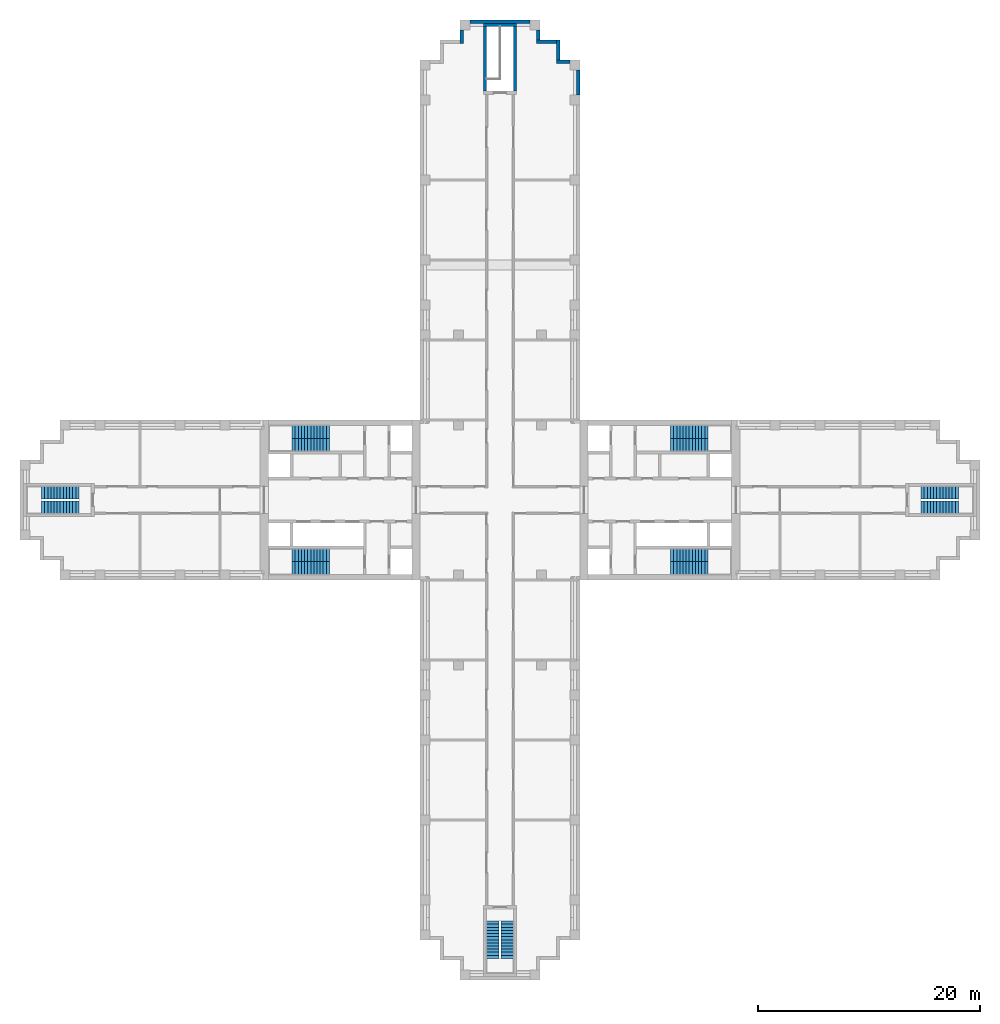
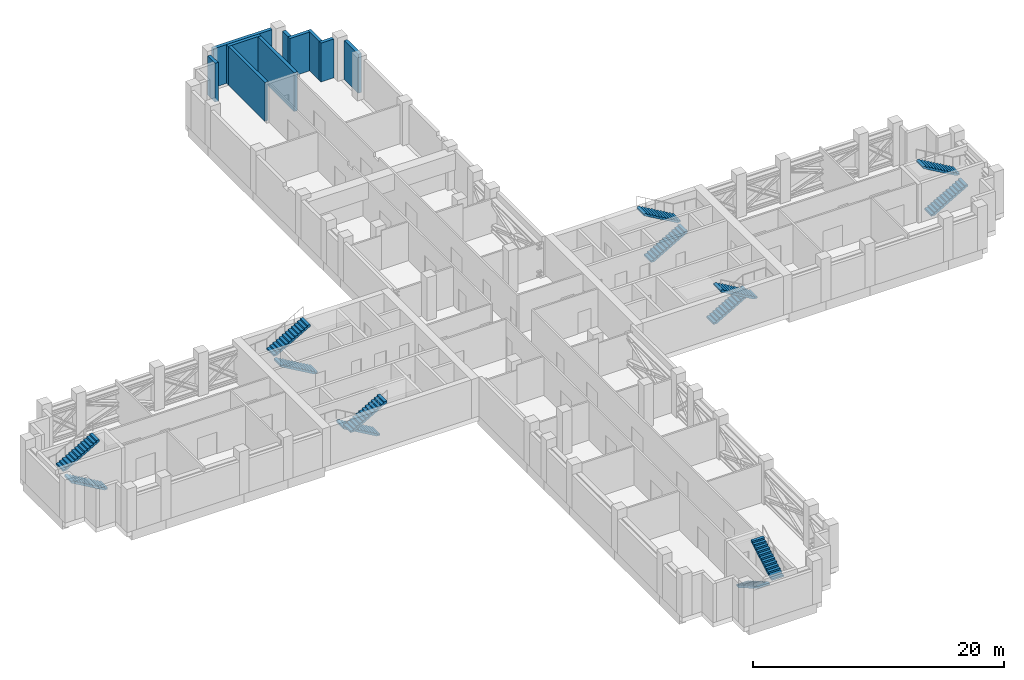
# One storey, part 9 of 10: 14 stair flights, 10 walls, 7 elements without a shape of their own.
"""IFC4 building model written with IfcOpenShell, lengths in metres."""

from ifc_helpers import new_model, si_unit, direction, frame, frame_2d, origin, place, context, subcontext, project, spatial, polyline, rectangle, outline, extrude, material, layer, layer_set, type_object, element, aggregate, save


model = new_model("IFC4")

# Units and contexts
model_context = context("Model", 3, precision=1e-05, world=origin(), true_north=direction((0.0, 1.0)))
body_context = subcontext(model_context, "Body", "Model", "MODEL_VIEW")
ifc_project = project(units=[si_unit("LENGTHUNIT", "METRE"), si_unit("AREAUNIT", "SQUARE_METRE"), si_unit("VOLUMEUNIT", "CUBIC_METRE"), si_unit("PLANEANGLEUNIT", "RADIAN"), si_unit("MASSUNIT", "GRAM", prefix="KILO")], contexts=[model_context])

# Site, building, storey
site_placement = place(None, origin())
site = spatial("IfcSite", under=ifc_project, at=site_placement, CompositionType="ELEMENT")
building_placement = place(site_placement, origin())
building = spatial("IfcBuilding", under=site, at=building_placement, Name="Fustian Cross Tower", CompositionType="ELEMENT")
storey_placement = place(building_placement, frame((0.0, 0.0, 62.699951171875)))
storey = spatial("IfcBuildingStorey", under=building, at=storey_placement, Name="L19", CompositionType="ELEMENT", Elevation=62.699951171875)

# Walls
ifc_material_1 = material(Name="Concrete C50/60", Category="concrete")
ifc_layer_1 = layer(ifc_material_1, 0.300048828125)
ifc_layer_set_1 = layer_set([ifc_layer_1], Name="Concrete C50/60")
wall_type_1 = type_object("IfcWallType", Name="STAIR ENCLOSURE WALL 300 C50/60", PredefinedType="SHEAR", material=ifc_layer_set_1)
wall_1_placement = place(storey_placement, frame((-1.5, 42.75, 0.0), z_axis=(0.0, 0.0, 1.0), x_axis=(1.0, 0.0, 0.0)))
element("IfcWall", 1, at=wall_1_placement, inside=storey, type_object=wall_type_1, Name="Stair enclosure wall", PredefinedType="SHEAR", context=body_context, shape_type="SweptSolid", body=[
    extrude(rectangle(XDim=3.0, YDim=0.300048828125, at=frame_2d((1.5, 0.0))), origin(), (0.0, 0.0, 1.0), 3.775146484375),
])
for number, where, z_axis, x_axis, name in (
    (2, (-1.35009765625, 36.800048828125, 0.0), (0.0, 0.0, 1.0), (0.0, 1.0, 0.0), "Stair enclosure wall"),
    (3, (1.35009765625, 36.800048828125, 0.0), (0.0, 0.0, 1.0), (0.0, 1.0, 0.0), "Stair enclosure wall"),
):
    element("IfcWall", number, at=place(storey_placement, frame(where, z_axis=z_axis, x_axis=x_axis)), inside=storey, type_object=wall_type_1, Name=name, PredefinedType="SHEAR", context=body_context, shape_type="SweptSolid", body=[
        extrude(rectangle(XDim=5.800048828125, YDim=0.300048828125, at=frame_2d((2.89990234375, 0.0))), origin(), (0.0, 0.0, 1.0), 3.775146484375),
    ])
ifc_material_2 = material(Name="Dark aluminium louvres on insulated backing wall", Category="aluminium")
ifc_layer_2 = layer(ifc_material_2, 0.300048828125)
ifc_layer_set_2 = layer_set([ifc_layer_2], Name="Dark aluminium louvres on insulated backing wall")
wall_type_2 = type_object("IfcWallType", Name="XW2 LOUVRED PLANT WALL 300", PredefinedType="SOLIDWALL", material=ifc_layer_set_2)
wall_2_placement = place(storey_placement, frame((7.050048828125, 36.449951171875, 0.0), z_axis=(0.0, 0.0, 1.0), x_axis=(0.0, 1.0, 0.0)))
element("IfcWall", 4, at=wall_2_placement, inside=storey, type_object=wall_type_2, Name="Plant louvre wall", PredefinedType="SOLIDWALL", context=body_context, shape_type="SweptSolid", body=[
    extrude(rectangle(XDim=2.25, YDim=0.300048828125, at=frame_2d((1.125, 0.0))), origin(), (0.0, 0.0, 1.0), 3.775146484375),
])
wall_3_placement = place(storey_placement, frame((6.300048828125, 39.449951171875, 0.0), z_axis=(0.0, 0.0, 1.0), x_axis=(-1.0, 0.0, 0.0)))
element("IfcWall", 5, at=wall_3_placement, inside=storey, type_object=wall_type_2, Name="Plant louvre wall", PredefinedType="SOLIDWALL", context=body_context, shape_type="SweptSolid", body=[
    extrude(rectangle(XDim=1.199951171875, YDim=0.300048828125, at=frame_2d((0.60009765625, 0.0))), origin(), (0.0, 0.0, 1.0), 3.775146484375),
])
wall_4_placement = place(storey_placement, frame((5.25, 39.60009765625, 0.0), z_axis=(0.0, 0.0, 1.0), x_axis=(0.0, 1.0, 0.0)))
element("IfcWall", 6, at=wall_4_placement, inside=storey, type_object=wall_type_2, Name="Plant louvre wall", PredefinedType="SOLIDWALL", context=body_context, shape_type="SweptSolid", body=[
    extrude(rectangle(XDim=1.7998046875, YDim=0.300048828125, at=frame_2d((0.89990234375, 0.0))), origin(), (0.0, 0.0, 1.0), 3.775146484375),
])
wall_5_placement = place(storey_placement, frame((5.10009765625, 41.25, 0.0), z_axis=(0.0, 0.0, 1.0), x_axis=(-1.0, 0.0, 0.0)))
element("IfcWall", 7, at=wall_5_placement, inside=storey, type_object=wall_type_2, Name="Plant louvre wall", PredefinedType="SOLIDWALL", context=body_context, shape_type="SweptSolid", body=[
    extrude(rectangle(XDim=1.800048828125, YDim=0.300048828125, at=frame_2d((0.89990234375, 0.0))), origin(), (0.0, 0.0, 1.0), 3.775146484375),
])
wall_6_placement = place(storey_placement, frame((3.449951171875, 41.39990234375, 0.0), z_axis=(0.0, 0.0, 1.0), x_axis=(0.0, 1.0, 0.0)))
element("IfcWall", 8, at=wall_6_placement, inside=storey, type_object=wall_type_2, Name="Plant louvre wall", PredefinedType="SOLIDWALL", context=body_context, shape_type="SweptSolid", body=[
    extrude(rectangle(XDim=0.900146484375, YDim=0.300048828125, at=frame_2d((0.4501953125, 0.0))), origin(), (0.0, 0.0, 1.0), 3.775146484375),
])
wall_7_placement = place(storey_placement, frame((2.699951171875, 43.050048828125, 0.0), z_axis=(0.0, 0.0, 1.0), x_axis=(-1.0, 0.0, 0.0)))
element("IfcWall", 9, at=wall_7_placement, inside=storey, type_object=wall_type_2, Name="Plant louvre wall", PredefinedType="SOLIDWALL", context=body_context, shape_type="SweptSolid", body=[
    extrude(rectangle(XDim=5.39990234375, YDim=0.300048828125, at=frame_2d((2.699951171875, 0.0))), origin(), (0.0, 0.0, 1.0), 3.775146484375),
])
wall_8_placement = place(storey_placement, frame((-3.449951171875, 42.300048828125, 0.0), z_axis=(0.0, 0.0, 1.0), x_axis=(0.0, -1.0, 0.0)))
element("IfcWall", 10, at=wall_8_placement, inside=storey, type_object=wall_type_2, Name="Plant louvre wall", PredefinedType="SOLIDWALL", context=body_context, shape_type="SweptSolid", body=[
    extrude(rectangle(XDim=1.199951171875, YDim=0.300048828125, at=frame_2d((0.60009765625, 0.0))), origin(), (0.0, 0.0, 1.0), 3.775146484375),
])

# Stair, stair flights
ifc_material_3 = material(Name="Concrete C50/60", Category="concrete")
stair_type_1 = type_object("IfcStairType", Name="STAIR 1100 HALF TURN", PredefinedType="HALF_TURN_STAIR", material=ifc_material_3)
stair_1_placement = place(storey_placement, origin())
stair_1 = element("IfcStair", 11, at=stair_1_placement, inside=storey, type_object=stair_type_1, Name="Stair ST6", PredefinedType="HALF_TURN_STAIR")
ifc_material_4 = material(Name="Concrete C50/60", Category="concrete")
stair_flight_type_1 = type_object("IfcStairFlightType", Name="STAIR FLIGHT 1100", PredefinedType="STRAIGHT", material=ifc_material_4)
stair_flight_1_placement = place(storey_placement, frame((-0.64990234375, -37.89990234375, 0.0), z_axis=(0.0, 0.0, 1.0), x_axis=(0.0, -1.0, 0.0)))
stair_flight_1 = element("IfcStairFlight", 12, at=stair_flight_1_placement, type_object=stair_flight_type_1, Name="ST6 flight 1", NumberOfRisers=13, NumberOfTreads=12, PredefinedType="STRAIGHT", RiserHeight=0.161538462, TreadLength=0.28, context=body_context, shape_type="SweptSolid", body=[
    extrude(outline(polyline([(0.0, 0.0), (0.0, 0.16162109375), (0.280029296875, 0.16162109375), (0.280029296875, 0.322998046875), (0.56005859375, 0.322998046875), (0.56005859375, 0.484619140625), (0.840087890625, 0.484619140625), (0.840087890625, 0.646240234375), (1.1201171875, 0.646240234375), (1.1201171875, 0.8076171875), (1.39990234375, 0.8076171875), (1.39990234375, 0.96923828125), (1.679931640625, 0.96923828125), (1.679931640625, 1.130859375), (1.9599609375, 1.130859375), (1.9599609375, 1.292236328125), (2.239990234375, 1.292236328125), (2.239990234375, 1.453857421875), (2.52001953125, 1.453857421875), (2.52001953125, 1.615478515625), (2.800048828125, 1.615478515625), (2.800048828125, 1.77685546875), (3.080078125, 1.77685546875), (3.080078125, 1.9384765625), (3.360107421875, 1.9384765625), (3.360107421875, 2.10009765625), (3.360107421875, 1.765380859375), (0.300048828125, 0.0), (0.0, 0.0)])), frame((0.0, 0.550048828125, 0.0), z_axis=(0.0, -1.0, 0.0), x_axis=(1.0, 0.0, 0.0)), (0.0, 0.0, 1.0), 1.10009765625),
])
stair_flight_2_placement = place(storey_placement, frame((0.64990234375, -41.260009765625, 2.10009765625), z_axis=(0.0, 0.0, 1.0), x_axis=(0.0, 1.0, 0.0)))
stair_flight_2 = element("IfcStairFlight", 13, at=stair_flight_2_placement, type_object=stair_flight_type_1, Name="ST6 flight 2", NumberOfRisers=13, NumberOfTreads=12, PredefinedType="STRAIGHT", RiserHeight=0.161538462, TreadLength=0.28, context=body_context, shape_type="SweptSolid", body=[
    extrude(outline(polyline([(0.0, 0.0), (0.0, 0.16162109375), (0.280029296875, 0.16162109375), (0.280029296875, 0.322998046875), (0.56005859375, 0.322998046875), (0.56005859375, 0.484619140625), (0.840087890625, 0.484619140625), (0.840087890625, 0.646240234375), (1.1201171875, 0.646240234375), (1.1201171875, 0.8076171875), (1.39990234375, 0.8076171875), (1.39990234375, 0.96923828125), (1.679931640625, 0.96923828125), (1.679931640625, 1.130859375), (1.9599609375, 1.130859375), (1.9599609375, 1.292236328125), (2.239990234375, 1.292236328125), (2.239990234375, 1.453857421875), (2.52001953125, 1.453857421875), (2.52001953125, 1.615478515625), (2.800048828125, 1.615478515625), (2.800048828125, 1.77685546875), (3.080078125, 1.77685546875), (3.080078125, 1.9384765625), (3.360107421875, 1.9384765625), (3.360107421875, 2.10009765625), (3.360107421875, 1.765380859375), (0.300048828125, 0.0), (0.0, 0.0)])), frame((0.0, 0.550048828125, 0.0), z_axis=(0.0, -1.0, 0.0), x_axis=(1.0, 0.0, 0.0)), (0.0, 0.0, 1.0), 1.10009765625),
])
aggregate(stair_1, [stair_flight_1, stair_flight_2])

stair_2_placement = place(storey_placement, origin())
stair_2 = element("IfcStair", 14, at=stair_2_placement, inside=storey, type_object=stair_type_1, Name="Stair ST8", PredefinedType="HALF_TURN_STAIR")
stair_flight_3_placement = place(storey_placement, frame((37.89990234375, -0.64990234375, 0.0), z_axis=(0.0, 0.0, 1.0), x_axis=(1.0, 0.0, 0.0)))
stair_flight_3 = element("IfcStairFlight", 15, at=stair_flight_3_placement, type_object=stair_flight_type_1, Name="ST8 flight 1", NumberOfRisers=13, NumberOfTreads=12, PredefinedType="STRAIGHT", RiserHeight=0.161538462, TreadLength=0.28, context=body_context, shape_type="SweptSolid", body=[
    extrude(outline(polyline([(0.0, 0.0), (0.0, 0.16162109375), (0.280029296875, 0.16162109375), (0.280029296875, 0.322998046875), (0.56005859375, 0.322998046875), (0.56005859375, 0.484619140625), (0.840087890625, 0.484619140625), (0.840087890625, 0.646240234375), (1.1201171875, 0.646240234375), (1.1201171875, 0.8076171875), (1.39990234375, 0.8076171875), (1.39990234375, 0.96923828125), (1.679931640625, 0.96923828125), (1.679931640625, 1.130859375), (1.9599609375, 1.130859375), (1.9599609375, 1.292236328125), (2.239990234375, 1.292236328125), (2.239990234375, 1.453857421875), (2.52001953125, 1.453857421875), (2.52001953125, 1.615478515625), (2.800048828125, 1.615478515625), (2.800048828125, 1.77685546875), (3.080078125, 1.77685546875), (3.080078125, 1.9384765625), (3.360107421875, 1.9384765625), (3.360107421875, 2.10009765625), (3.360107421875, 1.765380859375), (0.300048828125, 0.0), (0.0, 0.0)])), frame((0.0, 0.550048828125, 0.0), z_axis=(0.0, -1.0, 0.0), x_axis=(1.0, 0.0, 0.0)), (0.0, 0.0, 1.0), 1.10009765625),
])
stair_flight_4_placement = place(storey_placement, frame((41.260009765625, 0.64990234375, 2.10009765625), z_axis=(0.0, 0.0, 1.0), x_axis=(-1.0, 0.0, 0.0)))
stair_flight_4 = element("IfcStairFlight", 16, at=stair_flight_4_placement, type_object=stair_flight_type_1, Name="ST8 flight 2", NumberOfRisers=13, NumberOfTreads=12, PredefinedType="STRAIGHT", RiserHeight=0.161538462, TreadLength=0.28, context=body_context, shape_type="SweptSolid", body=[
    extrude(outline(polyline([(0.0, 0.0), (0.0, 0.16162109375), (0.280029296875, 0.16162109375), (0.280029296875, 0.322998046875), (0.56005859375, 0.322998046875), (0.56005859375, 0.484619140625), (0.840087890625, 0.484619140625), (0.840087890625, 0.646240234375), (1.1201171875, 0.646240234375), (1.1201171875, 0.8076171875), (1.39990234375, 0.8076171875), (1.39990234375, 0.96923828125), (1.679931640625, 0.96923828125), (1.679931640625, 1.130859375), (1.9599609375, 1.130859375), (1.9599609375, 1.292236328125), (2.239990234375, 1.292236328125), (2.239990234375, 1.453857421875), (2.52001953125, 1.453857421875), (2.52001953125, 1.615478515625), (2.800048828125, 1.615478515625), (2.800048828125, 1.77685546875), (3.080078125, 1.77685546875), (3.080078125, 1.9384765625), (3.360107421875, 1.9384765625), (3.360107421875, 2.10009765625), (3.360107421875, 1.765380859375), (0.300048828125, 0.0), (0.0, 0.0)])), frame((0.0, 0.550048828125, 0.0), z_axis=(0.0, -1.0, 0.0), x_axis=(1.0, 0.0, 0.0)), (0.0, 0.0, 1.0), 1.10009765625),
])
aggregate(stair_2, [stair_flight_3, stair_flight_4])

stair_3_placement = place(storey_placement, origin())
stair_3 = element("IfcStair", 17, at=stair_3_placement, inside=storey, type_object=stair_type_1, Name="Stair ST9", PredefinedType="HALF_TURN_STAIR")
stair_flight_5_placement = place(storey_placement, frame((-37.89990234375, -0.64990234375, 0.0), z_axis=(0.0, 0.0, 1.0), x_axis=(-1.0, 0.0, 0.0)))
stair_flight_5 = element("IfcStairFlight", 18, at=stair_flight_5_placement, type_object=stair_flight_type_1, Name="ST9 flight 1", NumberOfRisers=13, NumberOfTreads=12, PredefinedType="STRAIGHT", RiserHeight=0.161538462, TreadLength=0.28, context=body_context, shape_type="SweptSolid", body=[
    extrude(outline(polyline([(0.0, 0.0), (0.0, 0.16162109375), (0.280029296875, 0.16162109375), (0.280029296875, 0.322998046875), (0.56005859375, 0.322998046875), (0.56005859375, 0.484619140625), (0.840087890625, 0.484619140625), (0.840087890625, 0.646240234375), (1.1201171875, 0.646240234375), (1.1201171875, 0.8076171875), (1.39990234375, 0.8076171875), (1.39990234375, 0.96923828125), (1.679931640625, 0.96923828125), (1.679931640625, 1.130859375), (1.9599609375, 1.130859375), (1.9599609375, 1.292236328125), (2.239990234375, 1.292236328125), (2.239990234375, 1.453857421875), (2.52001953125, 1.453857421875), (2.52001953125, 1.615478515625), (2.800048828125, 1.615478515625), (2.800048828125, 1.77685546875), (3.080078125, 1.77685546875), (3.080078125, 1.9384765625), (3.360107421875, 1.9384765625), (3.360107421875, 2.10009765625), (3.360107421875, 1.765380859375), (0.300048828125, 0.0), (0.0, 0.0)])), frame((0.0, 0.550048828125, 0.0), z_axis=(0.0, -1.0, 0.0), x_axis=(1.0, 0.0, 0.0)), (0.0, 0.0, 1.0), 1.10009765625),
])
stair_flight_6_placement = place(storey_placement, frame((-41.260009765625, 0.64990234375, 2.10009765625), z_axis=(0.0, 0.0, 1.0), x_axis=(1.0, 0.0, 0.0)))
stair_flight_6 = element("IfcStairFlight", 19, at=stair_flight_6_placement, type_object=stair_flight_type_1, Name="ST9 flight 2", NumberOfRisers=13, NumberOfTreads=12, PredefinedType="STRAIGHT", RiserHeight=0.161538462, TreadLength=0.28, context=body_context, shape_type="SweptSolid", body=[
    extrude(outline(polyline([(0.0, 0.0), (0.0, 0.16162109375), (0.280029296875, 0.16162109375), (0.280029296875, 0.322998046875), (0.56005859375, 0.322998046875), (0.56005859375, 0.484619140625), (0.840087890625, 0.484619140625), (0.840087890625, 0.646240234375), (1.1201171875, 0.646240234375), (1.1201171875, 0.8076171875), (1.39990234375, 0.8076171875), (1.39990234375, 0.96923828125), (1.679931640625, 0.96923828125), (1.679931640625, 1.130859375), (1.9599609375, 1.130859375), (1.9599609375, 1.292236328125), (2.239990234375, 1.292236328125), (2.239990234375, 1.453857421875), (2.52001953125, 1.453857421875), (2.52001953125, 1.615478515625), (2.800048828125, 1.615478515625), (2.800048828125, 1.77685546875), (3.080078125, 1.77685546875), (3.080078125, 1.9384765625), (3.360107421875, 1.9384765625), (3.360107421875, 2.10009765625), (3.360107421875, 1.765380859375), (0.300048828125, 0.0), (0.0, 0.0)])), frame((0.0, 0.550048828125, 0.0), z_axis=(0.0, -1.0, 0.0), x_axis=(1.0, 0.0, 0.0)), (0.0, 0.0, 1.0), 1.10009765625),
])
aggregate(stair_3, [stair_flight_5, stair_flight_6])

ifc_material_5 = material(Name="Concrete C50/60", Category="concrete")
stair_type_2 = type_object("IfcStairType", Name="STAIR 1150 HALF TURN", PredefinedType="HALF_TURN_STAIR", material=ifc_material_5)
stair_4_placement = place(storey_placement, origin())
stair_4 = element("IfcStair", 20, at=stair_4_placement, inside=storey, type_object=stair_type_2, Name="Stair ST1", PredefinedType="HALF_TURN_STAIR")
ifc_material_6 = material(Name="Concrete C50/60", Category="concrete")
stair_flight_type_2 = type_object("IfcStairFlightType", Name="STAIR FLIGHT 1150", PredefinedType="STRAIGHT", material=ifc_material_6)
stair_flight_7_placement = place(storey_placement, frame((15.35009765625, 4.97509765625, 0.0), z_axis=(0.0, 0.0, 1.0), x_axis=(1.0, 0.0, 0.0)))
stair_flight_7 = element("IfcStairFlight", 21, at=stair_flight_7_placement, type_object=stair_flight_type_2, Name="ST1 flight 1", NumberOfRisers=13, NumberOfTreads=12, PredefinedType="STRAIGHT", RiserHeight=0.161538462, TreadLength=0.28, context=body_context, shape_type="SweptSolid", body=[
    extrude(outline(polyline([(0.0, 0.0), (0.0, 0.16162109375), (0.280029296875, 0.16162109375), (0.280029296875, 0.322998046875), (0.56005859375, 0.322998046875), (0.56005859375, 0.484619140625), (0.840087890625, 0.484619140625), (0.840087890625, 0.646240234375), (1.1201171875, 0.646240234375), (1.1201171875, 0.8076171875), (1.39990234375, 0.8076171875), (1.39990234375, 0.96923828125), (1.679931640625, 0.96923828125), (1.679931640625, 1.130859375), (1.9599609375, 1.130859375), (1.9599609375, 1.292236328125), (2.239990234375, 1.292236328125), (2.239990234375, 1.453857421875), (2.52001953125, 1.453857421875), (2.52001953125, 1.615478515625), (2.800048828125, 1.615478515625), (2.800048828125, 1.77685546875), (3.080078125, 1.77685546875), (3.080078125, 1.9384765625), (3.360107421875, 1.9384765625), (3.360107421875, 2.10009765625), (3.360107421875, 1.765380859375), (0.300048828125, 0.0), (0.0, 0.0)])), frame((0.0, 0.574951171875, 0.0), z_axis=(0.0, -1.0, 0.0), x_axis=(1.0, 0.0, 0.0)), (0.0, 0.0, 1.0), 1.14990234375),
])
stair_flight_8_placement = place(storey_placement, frame((18.7099609375, 6.125, 2.10009765625), z_axis=(0.0, 0.0, 1.0), x_axis=(-1.0, 0.0, 0.0)))
stair_flight_8 = element("IfcStairFlight", 22, at=stair_flight_8_placement, type_object=stair_flight_type_2, Name="ST1 flight 2", NumberOfRisers=13, NumberOfTreads=12, PredefinedType="STRAIGHT", RiserHeight=0.161538462, TreadLength=0.28, context=body_context, shape_type="SweptSolid", body=[
    extrude(outline(polyline([(0.0, 0.0), (0.0, 0.16162109375), (0.280029296875, 0.16162109375), (0.280029296875, 0.322998046875), (0.56005859375, 0.322998046875), (0.56005859375, 0.484619140625), (0.840087890625, 0.484619140625), (0.840087890625, 0.646240234375), (1.1201171875, 0.646240234375), (1.1201171875, 0.8076171875), (1.39990234375, 0.8076171875), (1.39990234375, 0.96923828125), (1.679931640625, 0.96923828125), (1.679931640625, 1.130859375), (1.9599609375, 1.130859375), (1.9599609375, 1.292236328125), (2.239990234375, 1.292236328125), (2.239990234375, 1.453857421875), (2.52001953125, 1.453857421875), (2.52001953125, 1.615478515625), (2.800048828125, 1.615478515625), (2.800048828125, 1.77685546875), (3.080078125, 1.77685546875), (3.080078125, 1.9384765625), (3.360107421875, 1.9384765625), (3.360107421875, 2.10009765625), (3.360107421875, 1.765380859375), (0.300048828125, 0.0), (0.0, 0.0)])), frame((0.0, 0.574951171875, 0.0), z_axis=(0.0, -1.0, 0.0), x_axis=(1.0, 0.0, 0.0)), (0.0, 0.0, 1.0), 1.14990234375),
])
aggregate(stair_4, [stair_flight_7, stair_flight_8])

stair_5_placement = place(storey_placement, origin())
stair_5 = element("IfcStair", 23, at=stair_5_placement, inside=storey, type_object=stair_type_2, Name="Stair ST2", PredefinedType="HALF_TURN_STAIR")
stair_flight_9_placement = place(storey_placement, frame((15.35009765625, -4.97509765625, 0.0), z_axis=(0.0, 0.0, 1.0), x_axis=(1.0, 0.0, 0.0)))
stair_flight_9 = element("IfcStairFlight", 24, at=stair_flight_9_placement, type_object=stair_flight_type_2, Name="ST2 flight 1", NumberOfRisers=13, NumberOfTreads=12, PredefinedType="STRAIGHT", RiserHeight=0.161538462, TreadLength=0.28, context=body_context, shape_type="SweptSolid", body=[
    extrude(outline(polyline([(0.0, 0.0), (0.0, 0.16162109375), (0.280029296875, 0.16162109375), (0.280029296875, 0.322998046875), (0.56005859375, 0.322998046875), (0.56005859375, 0.484619140625), (0.840087890625, 0.484619140625), (0.840087890625, 0.646240234375), (1.1201171875, 0.646240234375), (1.1201171875, 0.8076171875), (1.39990234375, 0.8076171875), (1.39990234375, 0.96923828125), (1.679931640625, 0.96923828125), (1.679931640625, 1.130859375), (1.9599609375, 1.130859375), (1.9599609375, 1.292236328125), (2.239990234375, 1.292236328125), (2.239990234375, 1.453857421875), (2.52001953125, 1.453857421875), (2.52001953125, 1.615478515625), (2.800048828125, 1.615478515625), (2.800048828125, 1.77685546875), (3.080078125, 1.77685546875), (3.080078125, 1.9384765625), (3.360107421875, 1.9384765625), (3.360107421875, 2.10009765625), (3.360107421875, 1.765380859375), (0.300048828125, 0.0), (0.0, 0.0)])), frame((0.0, 0.574951171875, 0.0), z_axis=(0.0, -1.0, 0.0), x_axis=(1.0, 0.0, 0.0)), (0.0, 0.0, 1.0), 1.14990234375),
])
stair_flight_10_placement = place(storey_placement, frame((18.7099609375, -6.125, 2.10009765625), z_axis=(0.0, 0.0, 1.0), x_axis=(-1.0, 0.0, 0.0)))
stair_flight_10 = element("IfcStairFlight", 25, at=stair_flight_10_placement, type_object=stair_flight_type_2, Name="ST2 flight 2", NumberOfRisers=13, NumberOfTreads=12, PredefinedType="STRAIGHT", RiserHeight=0.161538462, TreadLength=0.28, context=body_context, shape_type="SweptSolid", body=[
    extrude(outline(polyline([(0.0, 0.0), (0.0, 0.16162109375), (0.280029296875, 0.16162109375), (0.280029296875, 0.322998046875), (0.56005859375, 0.322998046875), (0.56005859375, 0.484619140625), (0.840087890625, 0.484619140625), (0.840087890625, 0.646240234375), (1.1201171875, 0.646240234375), (1.1201171875, 0.8076171875), (1.39990234375, 0.8076171875), (1.39990234375, 0.96923828125), (1.679931640625, 0.96923828125), (1.679931640625, 1.130859375), (1.9599609375, 1.130859375), (1.9599609375, 1.292236328125), (2.239990234375, 1.292236328125), (2.239990234375, 1.453857421875), (2.52001953125, 1.453857421875), (2.52001953125, 1.615478515625), (2.800048828125, 1.615478515625), (2.800048828125, 1.77685546875), (3.080078125, 1.77685546875), (3.080078125, 1.9384765625), (3.360107421875, 1.9384765625), (3.360107421875, 2.10009765625), (3.360107421875, 1.765380859375), (0.300048828125, 0.0), (0.0, 0.0)])), frame((0.0, 0.574951171875, 0.0), z_axis=(0.0, -1.0, 0.0), x_axis=(1.0, 0.0, 0.0)), (0.0, 0.0, 1.0), 1.14990234375),
])
aggregate(stair_5, [stair_flight_9, stair_flight_10])

stair_6_placement = place(storey_placement, origin())
stair_6 = element("IfcStair", 26, at=stair_6_placement, inside=storey, type_object=stair_type_2, Name="Stair ST3", PredefinedType="HALF_TURN_STAIR")
stair_flight_11_placement = place(storey_placement, frame((-15.35009765625, 4.97509765625, 0.0), z_axis=(0.0, 0.0, 1.0), x_axis=(-1.0, 0.0, 0.0)))
stair_flight_11 = element("IfcStairFlight", 27, at=stair_flight_11_placement, type_object=stair_flight_type_2, Name="ST3 flight 1", NumberOfRisers=13, NumberOfTreads=12, PredefinedType="STRAIGHT", RiserHeight=0.161538462, TreadLength=0.28, context=body_context, shape_type="SweptSolid", body=[
    extrude(outline(polyline([(0.0, 0.0), (0.0, 0.16162109375), (0.280029296875, 0.16162109375), (0.280029296875, 0.322998046875), (0.56005859375, 0.322998046875), (0.56005859375, 0.484619140625), (0.840087890625, 0.484619140625), (0.840087890625, 0.646240234375), (1.1201171875, 0.646240234375), (1.1201171875, 0.8076171875), (1.39990234375, 0.8076171875), (1.39990234375, 0.96923828125), (1.679931640625, 0.96923828125), (1.679931640625, 1.130859375), (1.9599609375, 1.130859375), (1.9599609375, 1.292236328125), (2.239990234375, 1.292236328125), (2.239990234375, 1.453857421875), (2.52001953125, 1.453857421875), (2.52001953125, 1.615478515625), (2.800048828125, 1.615478515625), (2.800048828125, 1.77685546875), (3.080078125, 1.77685546875), (3.080078125, 1.9384765625), (3.360107421875, 1.9384765625), (3.360107421875, 2.10009765625), (3.360107421875, 1.765380859375), (0.300048828125, 0.0), (0.0, 0.0)])), frame((0.0, 0.574951171875, 0.0), z_axis=(0.0, -1.0, 0.0), x_axis=(1.0, 0.0, 0.0)), (0.0, 0.0, 1.0), 1.14990234375),
])
stair_flight_12_placement = place(storey_placement, frame((-18.7099609375, 6.125, 2.10009765625), z_axis=(0.0, 0.0, 1.0), x_axis=(1.0, 0.0, 0.0)))
stair_flight_12 = element("IfcStairFlight", 28, at=stair_flight_12_placement, type_object=stair_flight_type_2, Name="ST3 flight 2", NumberOfRisers=13, NumberOfTreads=12, PredefinedType="STRAIGHT", RiserHeight=0.161538462, TreadLength=0.28, context=body_context, shape_type="SweptSolid", body=[
    extrude(outline(polyline([(0.0, 0.0), (0.0, 0.16162109375), (0.280029296875, 0.16162109375), (0.280029296875, 0.322998046875), (0.56005859375, 0.322998046875), (0.56005859375, 0.484619140625), (0.840087890625, 0.484619140625), (0.840087890625, 0.646240234375), (1.1201171875, 0.646240234375), (1.1201171875, 0.8076171875), (1.39990234375, 0.8076171875), (1.39990234375, 0.96923828125), (1.679931640625, 0.96923828125), (1.679931640625, 1.130859375), (1.9599609375, 1.130859375), (1.9599609375, 1.292236328125), (2.239990234375, 1.292236328125), (2.239990234375, 1.453857421875), (2.52001953125, 1.453857421875), (2.52001953125, 1.615478515625), (2.800048828125, 1.615478515625), (2.800048828125, 1.77685546875), (3.080078125, 1.77685546875), (3.080078125, 1.9384765625), (3.360107421875, 1.9384765625), (3.360107421875, 2.10009765625), (3.360107421875, 1.765380859375), (0.300048828125, 0.0), (0.0, 0.0)])), frame((0.0, 0.574951171875, 0.0), z_axis=(0.0, -1.0, 0.0), x_axis=(1.0, 0.0, 0.0)), (0.0, 0.0, 1.0), 1.14990234375),
])
aggregate(stair_6, [stair_flight_11, stair_flight_12])

stair_7_placement = place(storey_placement, origin())
stair_7 = element("IfcStair", 29, at=stair_7_placement, inside=storey, type_object=stair_type_2, Name="Stair ST4", PredefinedType="HALF_TURN_STAIR")
stair_flight_13_placement = place(storey_placement, frame((-15.35009765625, -4.97509765625, 0.0), z_axis=(0.0, 0.0, 1.0), x_axis=(-1.0, 0.0, 0.0)))
stair_flight_13 = element("IfcStairFlight", 30, at=stair_flight_13_placement, type_object=stair_flight_type_2, Name="ST4 flight 1", NumberOfRisers=13, NumberOfTreads=12, PredefinedType="STRAIGHT", RiserHeight=0.161538462, TreadLength=0.28, context=body_context, shape_type="SweptSolid", body=[
    extrude(outline(polyline([(0.0, 0.0), (0.0, 0.16162109375), (0.280029296875, 0.16162109375), (0.280029296875, 0.322998046875), (0.56005859375, 0.322998046875), (0.56005859375, 0.484619140625), (0.840087890625, 0.484619140625), (0.840087890625, 0.646240234375), (1.1201171875, 0.646240234375), (1.1201171875, 0.8076171875), (1.39990234375, 0.8076171875), (1.39990234375, 0.96923828125), (1.679931640625, 0.96923828125), (1.679931640625, 1.130859375), (1.9599609375, 1.130859375), (1.9599609375, 1.292236328125), (2.239990234375, 1.292236328125), (2.239990234375, 1.453857421875), (2.52001953125, 1.453857421875), (2.52001953125, 1.615478515625), (2.800048828125, 1.615478515625), (2.800048828125, 1.77685546875), (3.080078125, 1.77685546875), (3.080078125, 1.9384765625), (3.360107421875, 1.9384765625), (3.360107421875, 2.10009765625), (3.360107421875, 1.765380859375), (0.300048828125, 0.0), (0.0, 0.0)])), frame((0.0, 0.574951171875, 0.0), z_axis=(0.0, -1.0, 0.0), x_axis=(1.0, 0.0, 0.0)), (0.0, 0.0, 1.0), 1.14990234375),
])
stair_flight_14_placement = place(storey_placement, frame((-18.7099609375, -6.125, 2.10009765625), z_axis=(0.0, 0.0, 1.0), x_axis=(1.0, 0.0, 0.0)))
stair_flight_14 = element("IfcStairFlight", 31, at=stair_flight_14_placement, type_object=stair_flight_type_2, Name="ST4 flight 2", NumberOfRisers=13, NumberOfTreads=12, PredefinedType="STRAIGHT", RiserHeight=0.161538462, TreadLength=0.28, context=body_context, shape_type="SweptSolid", body=[
    extrude(outline(polyline([(0.0, 0.0), (0.0, 0.16162109375), (0.280029296875, 0.16162109375), (0.280029296875, 0.322998046875), (0.56005859375, 0.322998046875), (0.56005859375, 0.484619140625), (0.840087890625, 0.484619140625), (0.840087890625, 0.646240234375), (1.1201171875, 0.646240234375), (1.1201171875, 0.8076171875), (1.39990234375, 0.8076171875), (1.39990234375, 0.96923828125), (1.679931640625, 0.96923828125), (1.679931640625, 1.130859375), (1.9599609375, 1.130859375), (1.9599609375, 1.292236328125), (2.239990234375, 1.292236328125), (2.239990234375, 1.453857421875), (2.52001953125, 1.453857421875), (2.52001953125, 1.615478515625), (2.800048828125, 1.615478515625), (2.800048828125, 1.77685546875), (3.080078125, 1.77685546875), (3.080078125, 1.9384765625), (3.360107421875, 1.9384765625), (3.360107421875, 2.10009765625), (3.360107421875, 1.765380859375), (0.300048828125, 0.0), (0.0, 0.0)])), frame((0.0, 0.574951171875, 0.0), z_axis=(0.0, -1.0, 0.0), x_axis=(1.0, 0.0, 0.0)), (0.0, 0.0, 1.0), 1.14990234375),
])
aggregate(stair_7, [stair_flight_13, stair_flight_14])

save(model, "model.ifc")
